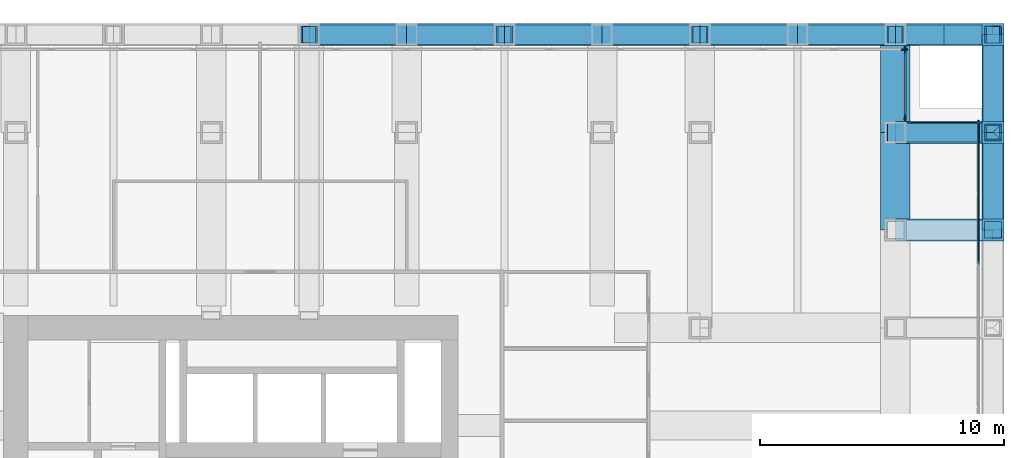
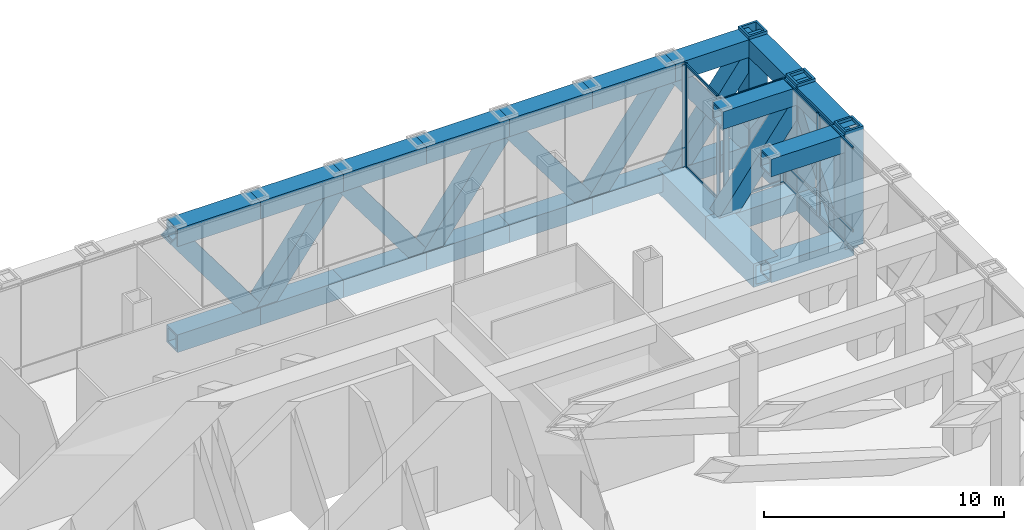
# One storey, part 9 of 14: 31 members, 24 beams, 4 elements without a shape of their own.
"""IFC4 building model written with IfcOpenShell, lengths in metres."""

from ifc_helpers import new_model, si_unit, direction, frame, origin, origin_2d, place, context, subcontext, project, spatial, rectangle, hollow_rectangle, extrude, material, material_profile, profile_set, type_object, element, aggregate, save


model = new_model("IFC4")

# Units and contexts
model_context = context("Model", 3, precision=1e-05, world=origin(), true_north=direction((0.0, 1.0)))
body_context = subcontext(model_context, "Body", "Model", "MODEL_VIEW")
ifc_project = project(units=[si_unit("LENGTHUNIT", "METRE"), si_unit("AREAUNIT", "SQUARE_METRE"), si_unit("VOLUMEUNIT", "CUBIC_METRE"), si_unit("PLANEANGLEUNIT", "RADIAN"), si_unit("MASSUNIT", "GRAM", prefix="KILO")], contexts=[model_context])

# Site, building, storey
site_placement = place(None, origin())
site = spatial("IfcSite", under=ifc_project, at=site_placement, CompositionType="ELEMENT")
building_placement = place(site_placement, origin())
building = spatial("IfcBuilding", under=site, at=building_placement, Name="Rimbunsela Tower", CompositionType="ELEMENT")
storey_placement = place(building_placement, frame((0.0, 0.0, 71.0)))
storey = spatial("IfcBuildingStorey", under=building, at=storey_placement, Name="L17", CompositionType="ELEMENT", Elevation=71.0)

# Beams
ifc_material_1 = material(Name="Steel BJ 55 (fy 410 MPa)", Category="steel")
ifc_material_profile_1 = material_profile(ifc_material_1, hollow_rectangle(XDim=1.199951171875, YDim=1.199951171875, WallThickness=0.125, at=origin_2d()), Name="BOX 1200x1200x125")
ifc_profile_set_1 = profile_set([ifc_material_profile_1], Name="Steel BJ 55 (fy 410 MPa)")
beam_type_1 = type_object("IfcBeamType", Name="Beam BOX 1200x1200x125", PredefinedType="BEAM", material=ifc_profile_set_1)
for number, where, z_axis, x_axis, name in (
    (1, (54.0, 40.0, -0.75), (0.0, 1.0, 0.0), (-1.0, 0.0, 0.0), "Beam B4 L17"),
    (2, (54.0, 44.0, -0.75), (0.0, 1.0, 0.0), (-1.0, 0.0, 0.0), "Beam B4 L17"),
):
    element("IfcBeam", number, at=place(storey_placement, frame(where, z_axis=z_axis, x_axis=x_axis)), inside=storey, type_object=beam_type_1, Name=name, PredefinedType="BEAM", context=body_context, shape_type="SweptSolid", body=[
        extrude(hollow_rectangle(XDim=1.199951171875, YDim=1.199951171875, WallThickness=0.125, at=origin_2d()), origin(), (0.0, 0.0, 1.0), 4.0),
    ])

# Curtain wall, members
ifc_material_2 = material(Name="Aluminium curtain wall", Category="aluminium")
curtain_wall_type_1 = type_object("IfcCurtainWallType", Name="Plant floor louvre wall", PredefinedType="USERDEFINED", material=ifc_material_2)
curtain_wall_1_placement = place(storey_placement, origin())
curtain_wall_1 = element("IfcCurtainWall", 3, at=curtain_wall_1_placement, inside=storey, type_object=curtain_wall_type_1, Name="Plant floor louvre wall L17", ObjectType="PLANT FLOOR LOUVRE WALL", PredefinedType="USERDEFINED")
ifc_material_3 = material(Name="Aluminium mullion", Category="aluminium")
ifc_material_profile_2 = material_profile(ifc_material_3, rectangle(XDim=0.06005859375, YDim=0.25, at=origin_2d()), Name="Mullion 60x250")
ifc_profile_set_2 = profile_set([ifc_material_profile_2], Name="Aluminium mullion")
member_type_1 = type_object("IfcMemberType", Name="Curtain wall mullion 60x250", PredefinedType="MULLION", material=ifc_profile_set_2)
member_1_placement = place(storey_placement, frame((57.39990234375, 41.485595703125, 0.0), z_axis=(0.0, 0.0, 1.0), x_axis=(-1.0, 0.0, 0.0)))
member_1 = element("IfcMember", 4, at=member_1_placement, type_object=member_type_1, Name="CW3 mullion 14", PredefinedType="MULLION", context=body_context, shape_type="SweptSolid", body=[
    extrude(rectangle(XDim=0.06005859375, YDim=0.25, at=origin_2d()), origin(), (0.0, 0.0, 1.0), 5.25),
])
member_2_placement = place(storey_placement, frame((57.39990234375, 44.3701171875, 0.0), z_axis=(0.0, 0.0, 1.0), x_axis=(-1.0, 0.0, 0.0)))
member_2 = element("IfcMember", 5, at=member_2_placement, type_object=member_type_1, Name="CW3 mullion 15", PredefinedType="MULLION", context=body_context, shape_type="SweptSolid", body=[
    extrude(rectangle(XDim=0.06005859375, YDim=0.25, at=origin_2d()), origin(), (0.0, 0.0, 1.0), 5.25),
])

ifc_material_4 = material(Name="Aluminium curtain wall", Category="aluminium")
curtain_wall_type_2 = type_object("IfcCurtainWallType", Name="Spandrel wall", PredefinedType="USERDEFINED", material=ifc_material_4)
curtain_wall_2_placement = place(storey_placement, origin())
curtain_wall_2 = element("IfcCurtainWall", 6, at=curtain_wall_2_placement, inside=storey, type_object=curtain_wall_type_2, Name="Spandrel wall L17", ObjectType="SPANDREL WALL", PredefinedType="USERDEFINED")
member_3_placement = place(storey_placement, frame((57.3701171875, 44.39990234375, 0.0), z_axis=(0.0, 0.0, 1.0), x_axis=(0.0, -1.0, 0.0)))
member_3 = element("IfcMember", 7, at=member_3_placement, type_object=member_type_1, Name="CW7 mullion 1", PredefinedType="MULLION", context=body_context, shape_type="SweptSolid", body=[
    extrude(rectangle(XDim=0.06005859375, YDim=0.25, at=origin_2d()), origin(), (0.0, 0.0, 1.0), 5.25),
])
member_4_placement = place(storey_placement, frame((54.625, 44.39990234375, 0.0), z_axis=(0.0, 0.0, 1.0), x_axis=(0.0, -1.0, 0.0)))
member_4 = element("IfcMember", 8, at=member_4_placement, type_object=member_type_1, Name="CW7 mullion 2", PredefinedType="MULLION", context=body_context, shape_type="SweptSolid", body=[
    extrude(rectangle(XDim=0.06005859375, YDim=0.25, at=origin_2d()), origin(), (0.0, 0.0, 1.0), 5.25),
])

ifc_material_5 = material(Name="Aluminium curtain wall", Category="aluminium")
curtain_wall_type_3 = type_object("IfcCurtainWallType", Name="Corner glazing", PredefinedType="USERDEFINED", material=ifc_material_5)
curtain_wall_3_placement = place(storey_placement, origin())
curtain_wall_3 = element("IfcCurtainWall", 9, at=curtain_wall_3_placement, inside=storey, type_object=curtain_wall_type_3, Name="Corner glazing L17", ObjectType="CORNER GLAZING", PredefinedType="USERDEFINED")
member_5_placement = place(storey_placement, frame((54.39990234375, 44.625, 0.0), z_axis=(0.0, 0.0, 1.0), x_axis=(-1.0, 0.0, 0.0)))
member_5 = element("IfcMember", 10, at=member_5_placement, type_object=member_type_1, Name="CW5 mullion 1", PredefinedType="MULLION", context=body_context, shape_type="SweptSolid", body=[
    extrude(rectangle(XDim=0.06005859375, YDim=0.25, at=origin_2d()), origin(), (0.0, 0.0, 1.0), 5.25),
])
member_6_placement = place(storey_placement, frame((54.39990234375, 47.3701171875, 0.0), z_axis=(0.0, 0.0, 1.0), x_axis=(-1.0, 0.0, 0.0)))
member_6 = element("IfcMember", 11, at=member_6_placement, type_object=member_type_1, Name="CW5 mullion 2", PredefinedType="MULLION", context=body_context, shape_type="SweptSolid", body=[
    extrude(rectangle(XDim=0.06005859375, YDim=0.25, at=origin_2d()), origin(), (0.0, 0.0, 1.0), 5.25),
])

# Curtain wall, member
curtain_wall_4_placement = place(storey_placement, origin())
curtain_wall_4 = element("IfcCurtainWall", 12, at=curtain_wall_4_placement, inside=storey, type_object=curtain_wall_type_1, Name="Plant floor louvre wall L17", ObjectType="PLANT FLOOR LOUVRE WALL", PredefinedType="USERDEFINED")
member_7_placement = place(storey_placement, frame((54.3701171875, 47.39990234375, 0.0), z_axis=(0.0, 0.0, 1.0), x_axis=(0.0, -1.0, 0.0)))
member_7 = element("IfcMember", 13, at=member_7_placement, type_object=member_type_1, Name="CW3 mullion 1", PredefinedType="MULLION", context=body_context, shape_type="SweptSolid", body=[
    extrude(rectangle(XDim=0.06005859375, YDim=0.25, at=origin_2d()), origin(), (0.0, 0.0, 1.0), 5.25),
])
aggregate(curtain_wall_4, [member_7])

# Member
ifc_material_6 = material(Name="Aluminium transom", Category="aluminium")
ifc_material_profile_3 = material_profile(ifc_material_6, rectangle(XDim=0.06005859375, YDim=0.1201171875, at=origin_2d()), Name="Transom 60x120")
ifc_profile_set_3 = profile_set([ifc_material_profile_3], Name="Aluminium transom")
member_type_2 = type_object("IfcMemberType", Name="Curtain wall transom 60x120", PredefinedType="USERDEFINED", material=ifc_profile_set_3)
member_8_placement = place(storey_placement, frame((57.39990234375, 38.601318359375, 0.030029296875), z_axis=(0.0, 1.0, 0.0), x_axis=(-1.0, 0.0, 0.0)))
member_8 = element("IfcMember", 14, at=member_8_placement, type_object=member_type_2, Name="CW3 transom 13.1", ObjectType="TRANSOM", PredefinedType="USERDEFINED", context=body_context, shape_type="SweptSolid", body=[
    extrude(rectangle(XDim=0.06005859375, YDim=0.1201171875, at=origin_2d()), origin(), (0.0, 0.0, 1.0), 2.8544921875),
])

member_9_placement = place(storey_placement, frame((57.39990234375, 38.601318359375, 1.0), z_axis=(0.0, 1.0, 0.0), x_axis=(-1.0, 0.0, 0.0)))
member_9 = element("IfcMember", 15, at=member_9_placement, type_object=member_type_2, Name="CW3 transom 13.2", ObjectType="TRANSOM", PredefinedType="USERDEFINED", context=body_context, shape_type="SweptSolid", body=[
    extrude(rectangle(XDim=0.06005859375, YDim=0.1201171875, at=origin_2d()), origin(), (0.0, 0.0, 1.0), 2.8544921875),
])

member_10_placement = place(storey_placement, frame((57.39990234375, 38.601318359375, 5.219970703125), z_axis=(0.0, 1.0, 0.0), x_axis=(-1.0, 0.0, 0.0)))
member_10 = element("IfcMember", 16, at=member_10_placement, type_object=member_type_2, Name="CW3 transom 13.3", ObjectType="TRANSOM", PredefinedType="USERDEFINED", context=body_context, shape_type="SweptSolid", body=[
    extrude(rectangle(XDim=0.06005859375, YDim=0.1201171875, at=origin_2d()), origin(), (0.0, 0.0, 1.0), 2.8544921875),
])

member_11_placement = place(storey_placement, frame((57.39990234375, 41.515625, 0.030029296875), z_axis=(0.0, 1.0, 0.0), x_axis=(-1.0, 0.0, 0.0)))
member_11 = element("IfcMember", 17, at=member_11_placement, type_object=member_type_2, Name="CW3 transom 14.1", ObjectType="TRANSOM", PredefinedType="USERDEFINED", context=body_context, shape_type="SweptSolid", body=[
    extrude(rectangle(XDim=0.06005859375, YDim=0.1201171875, at=origin_2d()), origin(), (0.0, 0.0, 1.0), 2.824462890625),
])

member_12_placement = place(storey_placement, frame((57.39990234375, 41.515625, 1.0), z_axis=(0.0, 1.0, 0.0), x_axis=(-1.0, 0.0, 0.0)))
member_12 = element("IfcMember", 18, at=member_12_placement, type_object=member_type_2, Name="CW3 transom 14.2", ObjectType="TRANSOM", PredefinedType="USERDEFINED", context=body_context, shape_type="SweptSolid", body=[
    extrude(rectangle(XDim=0.06005859375, YDim=0.1201171875, at=origin_2d()), origin(), (0.0, 0.0, 1.0), 2.824462890625),
])

member_13_placement = place(storey_placement, frame((57.39990234375, 41.515625, 5.219970703125), z_axis=(0.0, 1.0, 0.0), x_axis=(-1.0, 0.0, 0.0)))
member_13 = element("IfcMember", 19, at=member_13_placement, type_object=member_type_2, Name="CW3 transom 14.3", ObjectType="TRANSOM", PredefinedType="USERDEFINED", context=body_context, shape_type="SweptSolid", body=[
    extrude(rectangle(XDim=0.06005859375, YDim=0.1201171875, at=origin_2d()), origin(), (0.0, 0.0, 1.0), 2.824462890625),
])

aggregate(curtain_wall_1, [member_1, member_2, member_8, member_9, member_10, member_11, member_12, member_13])

member_14_placement = place(storey_placement, frame((57.340087890625, 44.39990234375, 0.030029296875), z_axis=(-1.0, 0.0, 0.0), x_axis=(0.0, -1.0, 0.0)))
member_14 = element("IfcMember", 20, at=member_14_placement, type_object=member_type_2, Name="CW7 transom 1.1", ObjectType="TRANSOM", PredefinedType="USERDEFINED", context=body_context, shape_type="SweptSolid", body=[
    extrude(rectangle(XDim=0.06005859375, YDim=0.1201171875, at=origin_2d()), origin(), (0.0, 0.0, 1.0), 2.68505859375),
])

member_15_placement = place(storey_placement, frame((57.340087890625, 44.39990234375, 5.219970703125), z_axis=(-1.0, 0.0, 0.0), x_axis=(0.0, -1.0, 0.0)))
member_15 = element("IfcMember", 21, at=member_15_placement, type_object=member_type_2, Name="CW7 transom 1.2", ObjectType="TRANSOM", PredefinedType="USERDEFINED", context=body_context, shape_type="SweptSolid", body=[
    extrude(rectangle(XDim=0.06005859375, YDim=0.1201171875, at=origin_2d()), origin(), (0.0, 0.0, 1.0), 2.68505859375),
])

aggregate(curtain_wall_2, [member_3, member_4, member_14, member_15])

member_16_placement = place(storey_placement, frame((54.39990234375, 44.655029296875, 0.030029296875), z_axis=(0.0, 1.0, 0.0), x_axis=(-1.0, 0.0, 0.0)))
member_16 = element("IfcMember", 22, at=member_16_placement, type_object=member_type_2, Name="CW5 transom 1.1", ObjectType="TRANSOM", PredefinedType="USERDEFINED", context=body_context, shape_type="SweptSolid", body=[
    extrude(rectangle(XDim=0.06005859375, YDim=0.1201171875, at=origin_2d()), origin(), (0.0, 0.0, 1.0), 2.68505859375),
])

member_17_placement = place(storey_placement, frame((54.39990234375, 44.655029296875, 5.219970703125), z_axis=(0.0, 1.0, 0.0), x_axis=(-1.0, 0.0, 0.0)))
member_17 = element("IfcMember", 23, at=member_17_placement, type_object=member_type_2, Name="CW5 transom 1.2", ObjectType="TRANSOM", PredefinedType="USERDEFINED", context=body_context, shape_type="SweptSolid", body=[
    extrude(rectangle(XDim=0.06005859375, YDim=0.1201171875, at=origin_2d()), origin(), (0.0, 0.0, 1.0), 2.68505859375),
])

aggregate(curtain_wall_3, [member_5, member_6, member_16, member_17])

# Beams
ifc_material_7 = material(Name="Steel BJ 55 (fy 410 MPa)", Category="steel")
ifc_material_profile_4 = material_profile(ifc_material_7, hollow_rectangle(XDim=0.89990234375, YDim=0.89990234375, WallThickness=0.10009765625, at=origin_2d()), Name="BOX 900x900x100")
ifc_profile_set_4 = profile_set([ifc_material_profile_4], Name="Steel BJ 55 (fy 410 MPa)")
beam_type_2 = type_object("IfcBeamType", Name="Truss chord BOX 900x900x100", PredefinedType="USERDEFINED", material=ifc_profile_set_4)
for number, where, z_axis, x_axis, name in (
    (24, (30.0, 48.0, 4.800048828125), (1.0, 0.0, 0.0), (0.0, 1.0, 0.0), "Truss top chord TC2 N face L17"),
    (25, (34.0, 48.0, 4.800048828125), (1.0, 0.0, 0.0), (0.0, 1.0, 0.0), "Truss top chord TC2 N face L17"),
    (26, (38.0, 48.0, 4.800048828125), (1.0, 0.0, 0.0), (0.0, 1.0, 0.0), "Truss top chord TC2 N face L17"),
    (27, (42.0, 48.0, 4.800048828125), (1.0, 0.0, 0.0), (0.0, 1.0, 0.0), "Truss top chord TC2 N face L17"),
    (28, (46.0, 48.0, 4.800048828125), (1.0, 0.0, 0.0), (0.0, 1.0, 0.0), "Truss top chord TC2 N face L17"),
    (29, (50.0, 48.0, 4.800048828125), (1.0, 0.0, 0.0), (0.0, 1.0, 0.0), "Truss top chord TC2 N face L17"),
    (30, (54.0, 48.0, 4.800048828125), (1.0, 0.0, 0.0), (0.0, 1.0, 0.0), "Truss top chord TC2 N face L17"),
    (31, (58.0, 40.0, 4.800048828125), (0.0, 1.0, 0.0), (-1.0, 0.0, 0.0), "Truss top chord TC2 E face L17"),
    (32, (58.0, 44.0, 4.800048828125), (0.0, 1.0, 0.0), (-1.0, 0.0, 0.0), "Truss top chord TC2 E face L17"),
    (33, (30.0, 48.0, -0.60009765625), (1.0, 0.0, 0.0), (0.0, 1.0, 0.0), "Truss bottom chord TC2 N face L17"),
    (34, (34.0, 48.0, -0.60009765625), (1.0, 0.0, 0.0), (0.0, 1.0, 0.0), "Truss bottom chord TC2 N face L17"),
    (35, (38.0, 48.0, -0.60009765625), (1.0, 0.0, 0.0), (0.0, 1.0, 0.0), "Truss bottom chord TC2 N face L17"),
    (36, (42.0, 48.0, -0.60009765625), (1.0, 0.0, 0.0), (0.0, 1.0, 0.0), "Truss bottom chord TC2 N face L17"),
    (37, (46.0, 48.0, -0.60009765625), (1.0, 0.0, 0.0), (0.0, 1.0, 0.0), "Truss bottom chord TC2 N face L17"),
    (38, (50.0, 48.0, -0.60009765625), (1.0, 0.0, 0.0), (0.0, 1.0, 0.0), "Truss bottom chord TC2 N face L17"),
    (39, (54.0, 48.0, -0.60009765625), (1.0, 0.0, 0.0), (0.0, 1.0, 0.0), "Truss bottom chord TC2 N face L17"),
    (40, (54.0, 40.0, -0.60009765625), (1.0, 0.0, 0.0), (0.0, 1.0, 0.0), "Cantilever truss bottom chord TC2 17/M L17"),
    (41, (54.0, 40.0, 4.800048828125), (1.0, 0.0, 0.0), (0.0, 1.0, 0.0), "Cantilever truss top chord TC2 17/M L17"),
    (42, (54.0, 44.0, -0.60009765625), (1.0, 0.0, 0.0), (0.0, 1.0, 0.0), "Cantilever truss bottom chord TC2 17/N L17"),
    (43, (54.0, 44.0, 4.800048828125), (1.0, 0.0, 0.0), (0.0, 1.0, 0.0), "Cantilever truss top chord TC2 17/N L17"),
    (44, (58.0, 40.0, -0.60009765625), (0.0, 1.0, 0.0), (-1.0, 0.0, 0.0), "Truss bottom chord TC2 E face L17"),
    (45, (58.0, 44.0, -0.60009765625), (0.0, 1.0, 0.0), (-1.0, 0.0, 0.0), "Truss bottom chord TC2 E face L17"),
):
    element("IfcBeam", number, at=place(storey_placement, frame(where, z_axis=z_axis, x_axis=x_axis)), inside=storey, type_object=beam_type_2, Name=name, ObjectType="TRUSS CHORD", PredefinedType="USERDEFINED", context=body_context, shape_type="SweptSolid", body=[
        extrude(hollow_rectangle(XDim=0.89990234375, YDim=0.89990234375, WallThickness=0.10009765625, at=origin_2d()), origin(), (0.0, 0.0, 1.0), 4.0),
    ])

# Members
ifc_material_8 = material(Name="Steel BJ 55 (fy 410 MPa)", Category="steel")
ifc_material_profile_5 = material_profile(ifc_material_8, hollow_rectangle(XDim=0.800048828125, YDim=0.800048828125, WallThickness=0.06005859375, at=origin_2d()), Name="BOX 800x800x60")
ifc_profile_set_5 = profile_set([ifc_material_profile_5], Name="Steel BJ 55 (fy 410 MPa)")
member_type_3 = type_object("IfcMemberType", Name="Truss diagonal BOX 800x800x60", PredefinedType="BRACE", material=ifc_profile_set_5)
for number, where, z_axis, x_axis, name in (
    (46, (30.0, 48.0, 4.800048828125), (0.595217124844, 0.0, -0.803564916041), (0.0, 1.0, 0.0), "Truss diagonal TD2 N face L17"),
    (47, (34.0, 48.0, -0.60009765625), (0.595217124844, 0.0, 0.803564916041), (0.0, 1.0, 0.0), "Truss diagonal TD2 N face L17"),
    (48, (38.0, 48.0, 4.800048828125), (0.595217124844, 0.0, -0.803564916041), (0.0, 1.0, 0.0), "Truss diagonal TD2 N face L17"),
    (49, (42.0, 48.0, -0.60009765625), (0.595217124844, 0.0, 0.803564916041), (0.0, 1.0, 0.0), "Truss diagonal TD2 N face L17"),
    (50, (46.0, 48.0, 4.800048828125), (0.595217124844, 0.0, -0.803564916041), (0.0, 1.0, 0.0), "Truss diagonal TD2 N face L17"),
    (51, (50.0, 48.0, -0.60009765625), (0.595217124844, 0.0, 0.803564916041), (0.0, 1.0, 0.0), "Truss diagonal TD2 N face L17"),
    (52, (54.0, 48.0, 4.800048828125), (0.595217124844, 0.0, -0.803564916041), (0.0, 1.0, 0.0), "Truss diagonal TD2 N face L17"),
    (53, (58.0, 40.0, -0.60009765625), (0.0, 0.595217124844, 0.803564916041), (-1.0, 0.0, 0.0), "Truss diagonal TD2 E face L17"),
    (54, (58.0, 44.0, 4.800048828125), (0.0, 0.595217124844, -0.803564916041), (-1.0, 0.0, 0.0), "Truss diagonal TD2 E face L17"),
    (55, (54.0, 44.0, -0.60009765625), (0.595217124844, 0.0, 0.803564916041), (0.0, 1.0, 0.0), "Cantilever truss diagonal TD2 17/N L17"),
    (56, (54.0, 48.0, -0.60009765625), (0.595217124844, 0.0, 0.803564916041), (0.0, 1.0, 0.0), "Cantilever truss diagonal TD2 17/P L17"),
):
    element("IfcMember", number, at=place(storey_placement, frame(where, z_axis=z_axis, x_axis=x_axis)), inside=storey, type_object=member_type_3, Name=name, PredefinedType="BRACE", context=body_context, shape_type="SweptSolid", body=[
        extrude(hollow_rectangle(XDim=0.800048828125, YDim=0.800048828125, WallThickness=0.06005859375, at=origin_2d()), origin(), (0.0, 0.0, 1.0), 6.72021484375),
    ])
ifc_material_9 = material(Name="Steel BJ 55 (fy 410 MPa)", Category="steel")
ifc_material_profile_6 = material_profile(ifc_material_9, hollow_rectangle(XDim=0.89990234375, YDim=0.89990234375, WallThickness=0.10009765625, at=origin_2d()), Name="BOX 900x900x100")
ifc_profile_set_6 = profile_set([ifc_material_profile_6], Name="Steel BJ 55 (fy 410 MPa)")
member_type_4 = type_object("IfcMemberType", Name="Truss post BOX 900x900x100", PredefinedType="POST", material=ifc_profile_set_6)
for number, where, z_axis, x_axis, name in (
    (57, (58.0, 40.0, -0.60009765625), (0.0, 0.0, 1.0), (1.0, 0.0, 0.0), "Truss post TP2 17/M L17"),
    (58, (58.0, 44.0, -0.60009765625), (0.0, 0.0, 1.0), (1.0, 0.0, 0.0), "Truss post TP2 17/N L17"),
    (59, (58.0, 48.0, -0.60009765625), (0.0, 0.0, 1.0), (1.0, 0.0, 0.0), "Truss post TP2 17/P L17"),
):
    element("IfcMember", number, at=place(storey_placement, frame(where, z_axis=z_axis, x_axis=x_axis)), inside=storey, type_object=member_type_4, Name=name, PredefinedType="POST", context=body_context, shape_type="SweptSolid", body=[
        extrude(hollow_rectangle(XDim=0.89990234375, YDim=0.89990234375, WallThickness=0.10009765625, at=origin_2d()), origin(), (0.0, 0.0, 1.0), 6.0),
    ])

save(model, "model.ifc")
